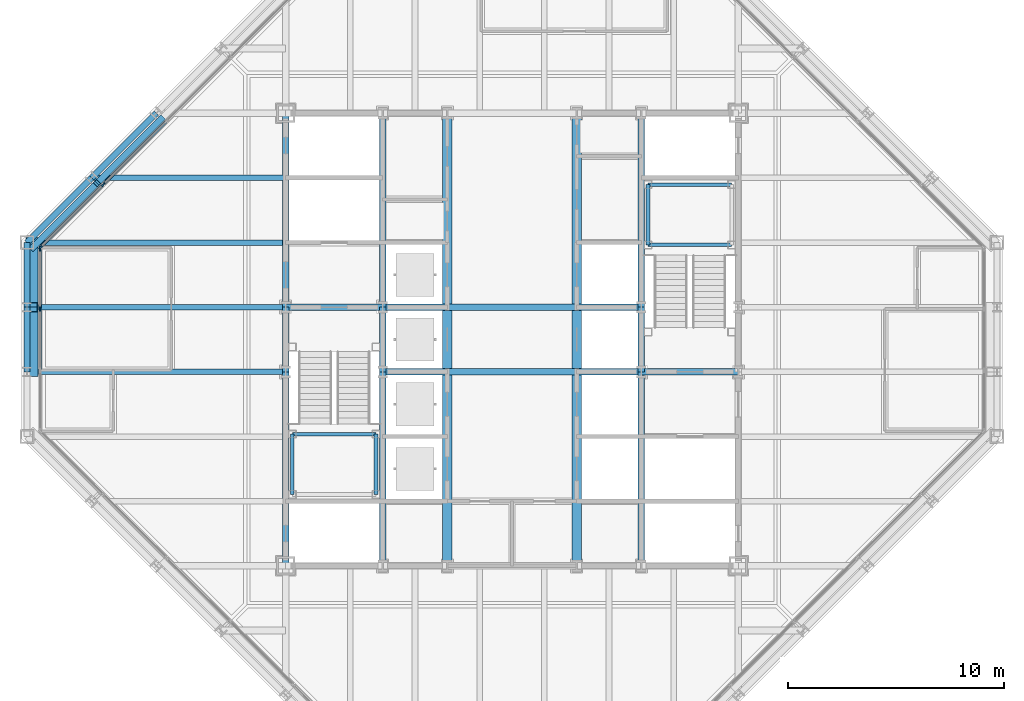
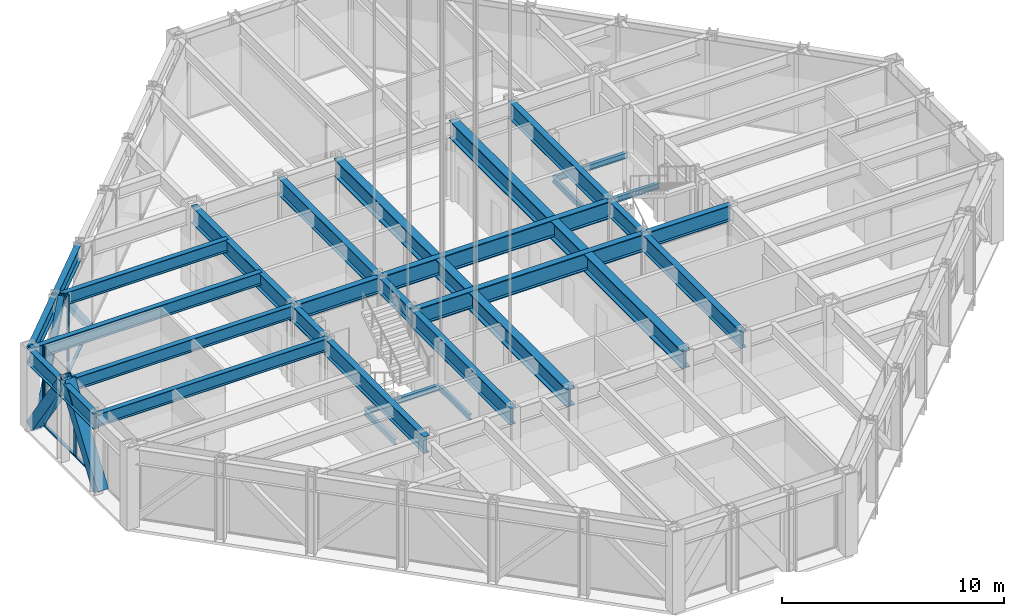
# One storey, part 6 of 24: 33 beams, 12 members, 2 elements without a shape of their own.
"""IFC4 building model written with IfcOpenShell, lengths in metres."""

import ifcopenshell
import ifcopenshell.guid

model = None  # the IFC model being written
_history = None  # IfcOwnerHistory: only IFC2X3 demands one
_inside = {}  # id of a spatial element -> (the spatial element, [elements in it])
_under = {}  # id of a project, library or spatial element -> (it, [spatial elements below it])
_declared = {}  # id of a project -> (the project, [libraries it declares])
_typed = {}  # id of a type object -> (the type object, [elements of that type])
_made_of = {}  # id of a material, layer set ... -> (it, [elements and type objects made of it])


def new_model(schema):
    """Start an empty IFC model of exactly this schema.

    Asked for "IFC4X3", IfcOpenShell would pick the latest addendum, in which some entities
    have other attributes; the version numbers below select the first issue.
    IFC2X3 requires an IfcOwnerHistory on every rooted entity: one is made here for all.
    """
    global model, _history
    if schema == "IFC4X3":
        model = ifcopenshell.file(schema_version=(4, 3, 0, 0))
    else:
        model = ifcopenshell.file(schema=schema)
    _inside.clear()
    _under.clear()
    _declared.clear()
    _typed.clear()
    _made_of.clear()
    _history = None
    if model.schema == "IFC2X3":
        org = make("IfcOrganization", Name="unknown")
        user = make(
            "IfcPersonAndOrganization",
            ThePerson=make("IfcPerson", FamilyName="unknown"),
            TheOrganization=org,
        )
        app = make(
            "IfcApplication",
            ApplicationDeveloper=org,
            Version="unknown",
            ApplicationFullName="unknown",
            ApplicationIdentifier="unknown",
        )
        _history = make(
            "IfcOwnerHistory",
            OwningUser=user,
            OwningApplication=app,
            ChangeAction="ADDED",
            CreationDate=0,
        )
    return model


def make(cls, **values):
    """One entity of the class cls with the attributes given. An attribute that is None is left unset."""
    return model.create_entity(
        cls, **{name: value for name, value in values.items() if value is not None}
    )


def rooted(cls, **values):
    """An entity with a GlobalId (a new one), such as an element, a storey or a relation."""
    return make(cls, GlobalId=ifcopenshell.guid.new(), OwnerHistory=_history, **values)


def si_unit(unit_type, name, prefix=None):
    """IfcSIUnit, for example si_unit("LENGTHUNIT", "METRE", prefix="MILLI")."""
    return make("IfcSIUnit", UnitType=unit_type, Prefix=prefix, Name=name)


def assignment(units):
    """IfcUnitAssignment: the units of a project."""
    return None if units is None else make("IfcUnitAssignment", Units=units)


def point(xyz):
    """IfcCartesianPoint."""
    return None if xyz is None else make("IfcCartesianPoint", Coordinates=xyz)


def direction(xyz):
    """IfcDirection."""
    return None if xyz is None else make("IfcDirection", DirectionRatios=xyz)


def frame(location, z_axis=None, x_axis=None):
    """IfcAxis2Placement3D, a coordinate frame: its origin and axes. An axis left out is left unset."""
    return make(
        "IfcAxis2Placement3D",
        Location=point(location),
        Axis=direction(z_axis),
        RefDirection=direction(x_axis),
    )


def frame_2d(location, x_axis=None):
    """IfcAxis2Placement2D, a coordinate frame in the plane: its origin and x axis."""
    return make(
        "IfcAxis2Placement2D", Location=point(location), RefDirection=direction(x_axis)
    )


def origin():
    """The frame at (0, 0, 0) with its axes left unset."""
    return frame((0.0, 0.0, 0.0))


def origin_2d():
    """The frame at (0, 0) in the plane with its x axis left unset."""
    return frame_2d((0.0, 0.0))


def place(relative_to, where):
    """IfcLocalPlacement: puts the frame where relative to a parent placement (None: the world)."""
    return make(
        "IfcLocalPlacement", PlacementRelTo=relative_to, RelativePlacement=where
    )


def context(
    kind, dimensions, precision=None, world=None, true_north=None, identifier=None
):
    """IfcGeometricRepresentationContext, for example the 3D "Model" context."""
    return make(
        "IfcGeometricRepresentationContext",
        ContextIdentifier=identifier,
        ContextType=kind,
        CoordinateSpaceDimension=dimensions,
        Precision=precision,
        WorldCoordinateSystem=world,
        TrueNorth=true_north,
    )


def subcontext(parent, identifier, kind, view, scale=None):
    """IfcGeometricRepresentationSubContext, for example "Body" below "Model"."""
    return make(
        "IfcGeometricRepresentationSubContext",
        ContextIdentifier=identifier,
        ContextType=kind,
        ParentContext=parent,
        TargetScale=scale,
        TargetView=view,
    )


def project(units=None, contexts=None):
    """IfcProject with its units and contexts."""
    return rooted(
        "IfcProject",
        Name="project",
        RepresentationContexts=contexts,
        UnitsInContext=assignment(units),
    )


def spatial(cls, under=None, at=None, **own):
    """A site, building, storey or space (cls), placed at a placement, below another one or the project."""
    s = rooted(cls, ObjectPlacement=at, **own)
    if under is not None:
        _under.setdefault(under.id(), (under, []))[1].append(s)
    return s


def profile(cls, at=None, kind="AREA", **sizes):
    """A parametric profile (cls). Its sizes go by their IFC names, for example OverallWidth=200.0."""
    return make(cls, ProfileType=kind, Position=at, **sizes)


def rectangle(**sizes):
    """IfcRectangleProfileDef."""
    return profile("IfcRectangleProfileDef", **sizes)


def hollow_rectangle(**sizes):
    """IfcRectangleHollowProfileDef."""
    return profile("IfcRectangleHollowProfileDef", **sizes)


def i_section(**sizes):
    """IfcIShapeProfileDef."""
    return profile("IfcIShapeProfileDef", **sizes)


def extrude(swept, where, along, depth):
    """IfcExtrudedAreaSolid: the profile swept, set in the frame where, extruded along a direction by depth."""
    return make(
        "IfcExtrudedAreaSolid",
        SweptArea=swept,
        Position=where,
        ExtrudedDirection=direction(along),
        Depth=depth,
    )


def shape(context_of_items, identifier, shape_type, items):
    """IfcShapeRepresentation: the items that make up one representation, for example the "Body"."""
    return make(
        "IfcShapeRepresentation",
        ContextOfItems=context_of_items,
        RepresentationIdentifier=identifier,
        RepresentationType=shape_type,
        Items=items,
    )


def material(Name=None, Category=None):
    """IfcMaterial."""
    return make("IfcMaterial", Name=Name, Category=Category)


def layer(
    of_material, thickness, ventilated=None, Name=None, Category=None, Priority=None
):
    """IfcMaterialLayer: one layer of a wall or slab, of a material (None: an air gap)."""
    return make(
        "IfcMaterialLayer",
        Material=of_material,
        LayerThickness=thickness,
        IsVentilated=ventilated,
        Name=Name,
        Category=Category,
        Priority=Priority,
    )


def layer_set(layers, Name=None):
    """IfcMaterialLayerSet."""
    return make("IfcMaterialLayerSet", MaterialLayers=layers, LayerSetName=Name)


def material_profile(
    of_material, cross_section, Name=None, Category=None, Priority=None
):
    """IfcMaterialProfile: a cross section and its material."""
    return make(
        "IfcMaterialProfile",
        Name=Name,
        Material=of_material,
        Profile=cross_section,
        Priority=Priority,
        Category=Category,
    )


def profile_set(profiles, Name=None, composite=None):
    """IfcMaterialProfileSet."""
    return make(
        "IfcMaterialProfileSet",
        Name=Name,
        MaterialProfiles=profiles,
        CompositeProfile=composite,
    )


def made_of(thing, what):
    """Note that an element or type object is made of a material, layer set ...; save() writes the relation."""
    if what is not None:
        _made_of.setdefault(what.id(), (what, []))[1].append(thing)
    return thing


def type_object(cls, material=None, **own):
    """A type object (cls), such as IfcWallType, which elements share."""
    return made_of(rooted(cls, **own), material)


def element(
    cls,
    number,
    at=None,
    inside=None,
    cuts=None,
    type_object=None,
    material=None,
    context=None,
    identifier="Body",
    shape_type=None,
    held_by="IfcProductDefinitionShape",
    body=None,
    shapes=None,
    **own,
):
    """One element of the class cls, such as IfcWall. Its Tag is "e" and its number.

    at: its placement. inside: the storey or other place that contains it. cuts: it is an
    opening in that element (IfcRelVoidsElement). A single representation is given by context,
    identifier, shape_type and body (its items); several are given by shapes. held_by: the class
    of the entity that holds the representations. save() writes the other relations.
    """
    e = rooted(cls, Tag="e%d" % number, ObjectPlacement=at, **own)
    if body is not None:
        shapes = [shape(context, identifier, shape_type, body)]
    if shapes is not None:
        e.Representation = make(held_by, Representations=shapes)
    if inside is not None:
        _inside.setdefault(inside.id(), (inside, []))[1].append(e)
    if cuts is not None:
        rooted(
            "IfcRelVoidsElement", RelatingBuildingElement=cuts, RelatedOpeningElement=e
        )
    if type_object is not None:
        _typed.setdefault(type_object.id(), (type_object, []))[1].append(e)
    return made_of(e, material)


def aggregate(whole, parts):
    """IfcRelAggregates: a whole, such as a stair, and the parts it consists of."""
    return rooted("IfcRelAggregates", RelatingObject=whole, RelatedObjects=parts)


def save(model, path):
    """Write the relations noted so far, then the file.

    IfcRelAggregates (storeys below a building ...), IfcRelContainedInSpatialStructure (elements
    in a storey), IfcRelDefinesByType, IfcRelAssociatesMaterial and IfcRelDeclares: one each for
    every whole, place, type object, material and project.
    """
    for whole, parts in _under.values():
        aggregate(whole, parts)
    for where, things in _inside.values():
        rooted(
            "IfcRelContainedInSpatialStructure",
            RelatedElements=things,
            RelatingStructure=where,
        )
    for kind, things in _typed.values():
        rooted("IfcRelDefinesByType", RelatedObjects=things, RelatingType=kind)
    for what, things in _made_of.values():
        rooted("IfcRelAssociatesMaterial", RelatedObjects=things, RelatingMaterial=what)
    for by, libraries in _declared.values():
        rooted("IfcRelDeclares", RelatingContext=by, RelatedDefinitions=libraries)
    model.write(path)


model = new_model("IFC4")

# Units and contexts
model_context = context("Model", 3, precision=1e-05, world=origin(), true_north=direction((0.0, 1.0)))
body_context = subcontext(model_context, "Body", "Model", "MODEL_VIEW")
ifc_project = project(units=[si_unit("LENGTHUNIT", "METRE"), si_unit("AREAUNIT", "SQUARE_METRE"), si_unit("VOLUMEUNIT", "CUBIC_METRE"), si_unit("PLANEANGLEUNIT", "RADIAN"), si_unit("MASSUNIT", "GRAM", prefix="KILO")], contexts=[model_context])

# Site, building, storey
site_placement = place(None, origin())
site = spatial("IfcSite", under=ifc_project, at=site_placement, CompositionType="ELEMENT")
building_placement = place(site_placement, origin())
building = spatial("IfcBuilding", under=site, at=building_placement, Name="Chuquiago Exchange Tower", CompositionType="ELEMENT")
storey_placement = place(building_placement, frame((0.0, 0.0, 257.699951171875)))
storey = spatial("IfcBuildingStorey", under=building, at=storey_placement, Name="L57", CompositionType="ELEMENT", Elevation=257.699951171875)

# Beams
ifc_material_1 = material(Name="Steel ASTM A992", Category="steel")
ifc_material_profile_1 = material_profile(ifc_material_1, i_section(OverallWidth=0.307373046875, OverallDepth=0.927001953125, WebThickness=0.01953125, FlangeThickness=0.031982421875, at=origin_2d()), Name="W36X194")
ifc_profile_set_1 = profile_set([ifc_material_profile_1], Name="Steel ASTM A992")
beam_type_1 = type_object("IfcBeamType", Name="B10 W36X194", PredefinedType="BEAM", material=ifc_profile_set_1)
for number, where, z_axis, x_axis, name in (
    (1, (12.0, 12.0, 3.87646484375), (0.0, 1.0, 0.0), (-1.0, 0.0, 0.0), "CB-L58-12_12-12_21"),
    (2, (12.0, 24.0, 3.87646484375), (0.0, 1.0, 0.0), (-1.0, 0.0, 0.0), "CB-L58-12_24-12_33"),
    (3, (16.5, 12.0, 3.87646484375), (0.0, 1.0, 0.0), (-1.0, 0.0, 0.0), "CB-L58-16.5_12-16.5_21"),
    (4, (16.5, 24.0, 3.87646484375), (0.0, 1.0, 0.0), (-1.0, 0.0, 0.0), "CB-L58-16.5_24-16.5_33"),
    (5, (28.5, 12.0, 3.87646484375), (0.0, 1.0, 0.0), (-1.0, 0.0, 0.0), "CB-L58-28.5_12-28.5_21"),
    (6, (28.5, 24.0, 3.87646484375), (0.0, 1.0, 0.0), (-1.0, 0.0, 0.0), "CB-L58-28.5_24-28.5_33"),
):
    element("IfcBeam", number, at=place(storey_placement, frame(where, z_axis=z_axis, x_axis=x_axis)), inside=storey, type_object=beam_type_1, Name=name, PredefinedType="BEAM", context=body_context, shape_type="SweptSolid", body=[
        extrude(i_section(OverallWidth=0.307373046875, OverallDepth=0.927001953125, WebThickness=0.01953125, FlangeThickness=0.031982421875, at=origin_2d()), origin(), (0.0, 0.0, 1.0), 9.0),
    ])
ifc_material_2 = material(Name="Steel ASTM A992", Category="steel")
ifc_material_profile_2 = material_profile(ifc_material_2, i_section(OverallWidth=0.309814453125, OverallDepth=0.949951171875, WebThickness=0.0244140625, FlangeThickness=0.0439453125, at=origin_2d()), Name="W36X256")
ifc_profile_set_2 = profile_set([ifc_material_profile_2], Name="Steel ASTM A992")
beam_type_2 = type_object("IfcBeamType", Name="B11 W36X256", PredefinedType="BEAM", material=ifc_profile_set_2)
for number, where, z_axis, x_axis, name in (
    (7, (16.5, 21.0, 3.864990234375), (1.0, 0.0, 0.0), (0.0, 1.0, 0.0), "CB-L58-16.5_21-28.5_21"),
    (8, (16.5, 24.0, 3.864990234375), (1.0, 0.0, 0.0), (0.0, 1.0, 0.0), "CB-L58-16.5_24-28.5_24"),
):
    element("IfcBeam", number, at=place(storey_placement, frame(where, z_axis=z_axis, x_axis=x_axis)), inside=storey, type_object=beam_type_2, Name=name, PredefinedType="BEAM", context=body_context, shape_type="SweptSolid", body=[
        extrude(i_section(OverallWidth=0.309814453125, OverallDepth=0.949951171875, WebThickness=0.0244140625, FlangeThickness=0.0439453125, at=origin_2d()), origin(), (0.0, 0.0, 1.0), 12.0),
    ])
ifc_material_3 = material(Name="Steel ASTM A992", Category="steel")
ifc_material_profile_3 = material_profile(ifc_material_3, i_section(OverallWidth=0.4267578125, OverallDepth=0.975341796875, WebThickness=0.031005859375, FlangeThickness=0.055908203125, at=origin_2d()), Name="W36X395")
ifc_profile_set_3 = profile_set([ifc_material_profile_3], Name="Steel ASTM A992")
beam_type_3 = type_object("IfcBeamType", Name="B12 W36X395", PredefinedType="BEAM", material=ifc_profile_set_3)
beam_1_placement = place(storey_placement, frame((19.5, 12.0, 3.852294921875), z_axis=(0.0, 1.0, 0.0), x_axis=(-1.0, 0.0, 0.0)))
element("IfcBeam", 9, at=beam_1_placement, inside=storey, type_object=beam_type_3, Name="CB-L58-19.5_12-19.5_20.8451", PredefinedType="BEAM", context=body_context, shape_type="SweptSolid", body=[
    extrude(i_section(OverallWidth=0.4267578125, OverallDepth=0.975341796875, WebThickness=0.031005859375, FlangeThickness=0.055908203125, at=origin_2d()), origin(), (0.0, 0.0, 1.0), 8.84521484375),
])
beam_2_placement = place(storey_placement, frame((19.5, 21.15478515625, 3.852294921875), z_axis=(0.0, 1.0, 0.0), x_axis=(-1.0, 0.0, 0.0)))
element("IfcBeam", 10, at=beam_2_placement, inside=storey, type_object=beam_type_3, Name="CB-L58-19.5_21.1549-19.5_23.8451", PredefinedType="BEAM", context=body_context, shape_type="SweptSolid", body=[
    extrude(i_section(OverallWidth=0.4267578125, OverallDepth=0.975341796875, WebThickness=0.031005859375, FlangeThickness=0.055908203125, at=origin_2d()), origin(), (0.0, 0.0, 1.0), 2.6904296875),
])
for number, where, z_axis, x_axis, name in (
    (11, (19.5, 24.15478515625, 3.852294921875), (0.0, 1.0, 0.0), (-1.0, 0.0, 0.0), "CB-L58-19.5_24.1549-19.5_33"),
    (12, (25.5, 12.0, 3.852294921875), (0.0, 1.0, 0.0), (-1.0, 0.0, 0.0), "CB-L58-25.5_12-25.5_20.8451"),
):
    element("IfcBeam", number, at=place(storey_placement, frame(where, z_axis=z_axis, x_axis=x_axis)), inside=storey, type_object=beam_type_3, Name=name, PredefinedType="BEAM", context=body_context, shape_type="SweptSolid", body=[
        extrude(i_section(OverallWidth=0.4267578125, OverallDepth=0.975341796875, WebThickness=0.031005859375, FlangeThickness=0.055908203125, at=origin_2d()), origin(), (0.0, 0.0, 1.0), 8.84521484375),
    ])
beam_3_placement = place(storey_placement, frame((25.5, 21.15478515625, 3.852294921875), z_axis=(0.0, 1.0, 0.0), x_axis=(-1.0, 0.0, 0.0)))
element("IfcBeam", 13, at=beam_3_placement, inside=storey, type_object=beam_type_3, Name="CB-L58-25.5_21.1549-25.5_23.8451", PredefinedType="BEAM", context=body_context, shape_type="SweptSolid", body=[
    extrude(i_section(OverallWidth=0.4267578125, OverallDepth=0.975341796875, WebThickness=0.031005859375, FlangeThickness=0.055908203125, at=origin_2d()), origin(), (0.0, 0.0, 1.0), 2.6904296875),
])
beam_4_placement = place(storey_placement, frame((25.5, 24.15478515625, 3.852294921875), z_axis=(0.0, 1.0, 0.0), x_axis=(-1.0, 0.0, 0.0)))
element("IfcBeam", 14, at=beam_4_placement, inside=storey, type_object=beam_type_3, Name="CB-L58-25.5_24.1549-25.5_33", PredefinedType="BEAM", context=body_context, shape_type="SweptSolid", body=[
    extrude(i_section(OverallWidth=0.4267578125, OverallDepth=0.975341796875, WebThickness=0.031005859375, FlangeThickness=0.055908203125, at=origin_2d()), origin(), (0.0, 0.0, 1.0), 8.84521484375),
])
ifc_material_4 = material(Name="Steel ASTM A992", Category="steel")
ifc_material_profile_4 = material_profile(ifc_material_4, i_section(OverallWidth=0.2919921875, OverallDepth=0.8583984375, WebThickness=0.01708984375, FlangeThickness=0.031005859375, at=origin_2d()), Name="W33X169")
ifc_profile_set_4 = profile_set([ifc_material_profile_4], Name="Steel ASTM A992")
beam_type_4 = type_object("IfcBeamType", Name="B3 W33X169", PredefinedType="BEAM", material=ifc_profile_set_4)
for number, where, z_axis, x_axis, name in (
    (15, (12.0, 21.0, 3.91064453125), (0.0, 1.0, 0.0), (-1.0, 0.0, 0.0), "CB-L58-12_21-12_24"),
    (16, (16.5, 21.0, 3.91064453125), (0.0, 1.0, 0.0), (-1.0, 0.0, 0.0), "CB-L58-16.5_21-16.5_24"),
    (17, (28.5, 21.0, 3.91064453125), (0.0, 1.0, 0.0), (-1.0, 0.0, 0.0), "CB-L58-28.5_21-28.5_24"),
):
    element("IfcBeam", number, at=place(storey_placement, frame(where, z_axis=z_axis, x_axis=x_axis)), inside=storey, type_object=beam_type_4, Name=name, PredefinedType="BEAM", context=body_context, shape_type="SweptSolid", body=[
        extrude(i_section(OverallWidth=0.2919921875, OverallDepth=0.8583984375, WebThickness=0.01708984375, FlangeThickness=0.031005859375, at=origin_2d()), origin(), (0.0, 0.0, 1.0), 3.0),
    ])
for number, where, z_axis, x_axis, name in (
    (18, (28.5, 21.0, 3.91064453125), (1.0, 0.0, 0.0), (0.0, 1.0, 0.0), "CB-L58-28.5_21-33_21"),
    (19, (12.0, 24.0, 3.91064453125), (1.0, 0.0, 0.0), (0.0, 1.0, 0.0), "CB-L58-12_24-16.5_24"),
):
    element("IfcBeam", number, at=place(storey_placement, frame(where, z_axis=z_axis, x_axis=x_axis)), inside=storey, type_object=beam_type_4, Name=name, PredefinedType="BEAM", context=body_context, shape_type="SweptSolid", body=[
        extrude(i_section(OverallWidth=0.2919921875, OverallDepth=0.8583984375, WebThickness=0.01708984375, FlangeThickness=0.031005859375, at=origin_2d()), origin(), (0.0, 0.0, 1.0), 4.5),
    ])
ifc_material_5 = material(Name="Steel ASTM A992", Category="steel")
ifc_material_profile_5 = material_profile(ifc_material_5, i_section(OverallWidth=0.256591796875, OverallDepth=0.693359375, WebThickness=0.014404296875, FlangeThickness=0.023681640625, at=origin_2d()), Name="W27X114")
ifc_profile_set_5 = profile_set([ifc_material_profile_5], Name="Steel ASTM A992")
beam_type_5 = type_object("IfcBeamType", Name="B4 W27X114", PredefinedType="BEAM", material=ifc_profile_set_5)
for number, where, z_axis, x_axis, name in (
    (20, (12.0, 21.0, 3.993408203125), (-1.0, 0.0, 0.0), (0.0, -1.0, 0.0), "FB-L58-infill-12_21--0_21-0"),
    (21, (12.0, 24.0, 3.993408203125), (-1.0, 0.0, 0.0), (0.0, -1.0, 0.0), "FB-L58-infill-12_24--0_24-0"),
    (22, (12.0, 27.0, 3.993408203125), (-1.0, 0.0, 0.0), (0.0, -1.0, 0.0), "FB-L58-infill-12_27--0_27-0"),
):
    element("IfcBeam", number, at=place(storey_placement, frame(where, z_axis=z_axis, x_axis=x_axis)), inside=storey, type_object=beam_type_5, Name=name, PredefinedType="BEAM", context=body_context, shape_type="SweptSolid", body=[
        extrude(i_section(OverallWidth=0.256591796875, OverallDepth=0.693359375, WebThickness=0.014404296875, FlangeThickness=0.023681640625, at=origin_2d()), origin(), (0.0, 0.0, 1.0), 12.0),
    ])
beam_5_placement = place(storey_placement, frame((12.0, 30.0, 3.993408203125), z_axis=(-1.0, 0.0, 0.0), x_axis=(0.0, -1.0, 0.0)))
element("IfcBeam", 23, at=beam_5_placement, inside=storey, type_object=beam_type_5, Name="FB-L58-infill-12_30-3_30-0", PredefinedType="BEAM", context=body_context, shape_type="SweptSolid", body=[
    extrude(i_section(OverallWidth=0.256591796875, OverallDepth=0.693359375, WebThickness=0.014404296875, FlangeThickness=0.023681640625, at=origin_2d()), origin(), (0.0, 0.0, 1.0), 9.0),
])

# Curtain wall, members
ifc_material_6 = material(Name="Aluminium curtain wall system", Category="aluminium")
ifc_layer_1 = layer(ifc_material_6, 0.22509765625)
ifc_layer_set_1 = layer_set([ifc_layer_1], Name="CW2 office curtain wall")
curtain_wall_type_1 = type_object("IfcCurtainWallType", Name="CW2 office curtain wall", PredefinedType="NOTDEFINED", material=ifc_layer_set_1)
curtain_wall_1_placement = place(storey_placement, origin())
curtain_wall_1 = element("IfcCurtainWall", 24, at=curtain_wall_1_placement, inside=storey, type_object=curtain_wall_type_1, Name="CW2 curtain wall L57", PredefinedType="NOTDEFINED")
ifc_material_7 = material(Name="Aluminium mullion, pale anodised", Category="aluminium")
ifc_material_profile_6 = material_profile(ifc_material_7, rectangle(XDim=0.06494140625, YDim=0.22509765625, at=origin_2d()), Name="AL 65x225")
ifc_profile_set_6 = profile_set([ifc_material_profile_6], Name="Aluminium mullion, pale anodised")
member_type_1 = type_object("IfcMemberType", Name="CW2-M mullion 65x225", PredefinedType="MULLION", material=ifc_profile_set_6)
member_1_placement = place(storey_placement, frame((0.60009765625, 26.718994140625, 0.0), z_axis=(0.0, 0.0, 1.0), x_axis=(1.0, 0.0, 0.0)))
member_1 = element("IfcMember", 25, at=member_1_placement, type_object=member_type_1, Name="CW2 mullion 1", PredefinedType="MULLION", context=body_context, shape_type="SweptSolid", body=[
    extrude(rectangle(XDim=0.06494140625, YDim=0.22509765625, at=origin_2d()), origin(), (0.0, 0.0, 1.0), 4.340087890625),
])
member_2_placement = place(storey_placement, frame((0.60009765625, 23.917236328125, 0.0), z_axis=(0.0, 0.0, 1.0), x_axis=(1.0, 0.0, 0.0)))
member_2 = element("IfcMember", 26, at=member_2_placement, type_object=member_type_1, Name="CW2 mullion 2", PredefinedType="MULLION", context=body_context, shape_type="SweptSolid", body=[
    extrude(rectangle(XDim=0.06494140625, YDim=0.22509765625, at=origin_2d()), origin(), (0.0, 0.0, 1.0), 4.340087890625),
])
ifc_material_8 = material(Name="Aluminium transom, pale anodised", Category="aluminium")
ifc_material_profile_7 = material_profile(ifc_material_8, rectangle(XDim=0.139892578125, YDim=0.06494140625, at=origin_2d()), Name="AL 140x65")
ifc_profile_set_7 = profile_set([ifc_material_profile_7], Name="Aluminium transom, pale anodised")
member_type_2 = type_object("IfcMemberType", Name="CW2-T transom 65x140", PredefinedType="MULLION", material=ifc_profile_set_7)
member_3_placement = place(storey_placement, frame((0.60009765625, 26.6865234375, 0.032470703125), z_axis=(0.0, -1.0, 0.0), x_axis=(1.0, 0.0, 0.0)))
member_3 = element("IfcMember", 27, at=member_3_placement, type_object=member_type_2, Name="CW2 transom 1.1", PredefinedType="MULLION", context=body_context, shape_type="SweptSolid", body=[
    extrude(rectangle(XDim=0.139892578125, YDim=0.06494140625, at=origin_2d()), origin(), (0.0, 0.0, 1.0), 2.73681640625),
])
member_4_placement = place(storey_placement, frame((0.60009765625, 23.884765625, 0.032470703125), z_axis=(0.0, -1.0, 0.0), x_axis=(1.0, 0.0, 0.0)))
member_4 = element("IfcMember", 28, at=member_4_placement, type_object=member_type_2, Name="CW2 transom 2.1", PredefinedType="MULLION", context=body_context, shape_type="SweptSolid", body=[
    extrude(rectangle(XDim=0.139892578125, YDim=0.06494140625, at=origin_2d()), origin(), (0.0, 0.0, 1.0), 2.76953125),
])
aggregate(curtain_wall_1, [member_1, member_2, member_3, member_4])

ifc_material_9 = material(Name="Aluminium curtain wall system", Category="aluminium")
ifc_layer_2 = layer(ifc_material_9, 0.199951171875)
ifc_layer_set_2 = layer_set([ifc_layer_2], Name="CW3 facet curtain wall")
curtain_wall_type_2 = type_object("IfcCurtainWallType", Name="CW3 facet curtain wall", PredefinedType="NOTDEFINED", material=ifc_layer_set_2)
curtain_wall_2_placement = place(storey_placement, origin())
curtain_wall_2 = element("IfcCurtainWall", 29, at=curtain_wall_2_placement, inside=storey, type_object=curtain_wall_type_2, Name="CW3 curtain wall L57", PredefinedType="NOTDEFINED")
ifc_material_10 = material(Name="Aluminium mullion, pale anodised", Category="aluminium")
ifc_material_profile_8 = material_profile(ifc_material_10, rectangle(XDim=0.06494140625, YDim=0.199951171875, at=origin_2d()), Name="AL 65x200")
ifc_profile_set_8 = profile_set([ifc_material_profile_8], Name="Aluminium mullion, pale anodised")
member_type_3 = type_object("IfcMemberType", Name="CW3-M mullion 65x200", PredefinedType="MULLION", material=ifc_profile_set_8)
member_5_placement = place(storey_placement, frame((3.54150390625, 29.69287109375, 0.0), z_axis=(0.0, 0.0, 1.0), x_axis=(0.707106781187, -0.707106781187, 0.0)))
member_5 = element("IfcMember", 30, at=member_5_placement, type_object=member_type_3, Name="CW3 mullion 6", PredefinedType="MULLION", context=body_context, shape_type="SweptSolid", body=[
    extrude(rectangle(XDim=0.06494140625, YDim=0.199951171875, at=origin_2d()), origin(), (0.0, 0.0, 1.0), 4.340087890625),
])
member_6_placement = place(storey_placement, frame((0.623046875, 26.7744140625, 0.0), z_axis=(0.0, 0.0, 1.0), x_axis=(0.707106781187, -0.707106781187, 0.0)))
member_6 = element("IfcMember", 31, at=member_6_placement, type_object=member_type_3, Name="CW3 mullion 7", PredefinedType="MULLION", context=body_context, shape_type="SweptSolid", body=[
    extrude(rectangle(XDim=0.06494140625, YDim=0.199951171875, at=origin_2d()), origin(), (0.0, 0.0, 1.0), 4.340087890625),
])
ifc_material_11 = material(Name="Aluminium transom, pale anodised", Category="aluminium")
ifc_material_profile_9 = material_profile(ifc_material_11, rectangle(XDim=0.139892578125, YDim=0.06494140625, at=origin_2d()), Name="AL 140x65")
ifc_profile_set_9 = profile_set([ifc_material_profile_9], Name="Aluminium transom, pale anodised")
member_type_4 = type_object("IfcMemberType", Name="CW3-T transom 65x140", PredefinedType="MULLION", material=ifc_profile_set_9)
member_7_placement = place(storey_placement, frame((6.4599609375, 32.611328125, 0.032470703125), z_axis=(-0.707106781187, -0.707106781187, 0.0), x_axis=(0.707106781187, -0.707106781187, 0.0)))
member_7 = element("IfcMember", 32, at=member_7_placement, type_object=member_type_4, Name="CW3 transom 5.1", PredefinedType="MULLION", context=body_context, shape_type="SweptSolid", body=[
    extrude(rectangle(XDim=0.139892578125, YDim=0.06494140625, at=origin_2d()), origin(), (0.0, 0.0, 1.0), 4.094970703125),
])
member_8_placement = place(storey_placement, frame((3.5185546875, 29.669921875, 0.032470703125), z_axis=(-0.707106781187, -0.707106781187, 0.0), x_axis=(0.707106781187, -0.707106781187, 0.0)))
member_8 = element("IfcMember", 33, at=member_8_placement, type_object=member_type_4, Name="CW3 transom 6.1", PredefinedType="MULLION", context=body_context, shape_type="SweptSolid", body=[
    extrude(rectangle(XDim=0.139892578125, YDim=0.06494140625, at=origin_2d()), origin(), (0.0, 0.0, 1.0), 4.0625),
])
aggregate(curtain_wall_2, [member_5, member_6, member_7, member_8])

# Members
ifc_material_12 = material(Name="Steel ASTM A500 Grade C", Category="steel")
ifc_material_profile_10 = material_profile(ifc_material_12, hollow_rectangle(XDim=0.3046875, YDim=0.3046875, WallThickness=0.0146484375, at=origin_2d()), Name="HSS12X12X5/8")
ifc_profile_set_10 = profile_set([ifc_material_profile_10], Name="Steel ASTM A500 Grade C")
member_type_5 = type_object("IfcMemberType", Name="LB3 HSS12X12X5/8", PredefinedType="BRACE", material=ifc_profile_set_10)
for number, where, z_axis, x_axis, name in (
    (34, (6.249267578125, 32.750732421875, 0.0), (-0.494291205278, -0.494291205278, 0.715089091491), (0.707106781187, -0.707106781187, 0.0), "LB-L57-6_33-3_30"),
    (35, (0.249267578125, 26.750732421875, 0.0), (0.494291205278, 0.494291205278, 0.715089091491), (-0.707106781187, 0.707106781187, 0.0), "LB-L57-3_30-0_27"),
):
    element("IfcMember", number, at=place(storey_placement, frame(where, z_axis=z_axis, x_axis=x_axis)), inside=storey, type_object=member_type_5, Name=name, PredefinedType="BRACE", context=body_context, shape_type="SweptSolid", body=[
        extrude(hollow_rectangle(XDim=0.3046875, YDim=0.3046875, WallThickness=0.0146484375, at=origin_2d()), origin(), (0.0, 0.0, 1.0), 6.0693359375),
    ])

# Beams
ifc_material_13 = material(Name="Steel ASTM A992", Category="steel")
ifc_material_profile_11 = material_profile(ifc_material_13, i_section(OverallWidth=0.164794921875, OverallDepth=0.309814453125, WebThickness=0.005859375, FlangeThickness=0.009765625, at=origin_2d()), Name="W12X26")
ifc_profile_set_11 = profile_set([ifc_material_profile_11], Name="Steel ASTM A992")
beam_type_6 = type_object("IfcBeamType", Name="LS1 W12X26", PredefinedType="BEAM", material=ifc_profile_set_11)
for number, where, z_axis, x_axis, name in (
    (36, (12.31005859375, 15.31005859375, 1.895263671875), (0.0, 1.0, 0.0), (-1.0, 0.0, 0.0), "Stair ST1 L57 landing 1 stringer"),
    (37, (16.18994140625, 15.31005859375, 1.895263671875), (0.0, 1.0, 0.0), (-1.0, 0.0, 0.0), "Stair ST1 L57 landing 1 stringer"),
    (38, (28.81005859375, 26.889892578125, 1.895263671875), (0.0, 1.0, 0.0), (-1.0, 0.0, 0.0), "Stair ST2 L57 landing 1 stringer"),
):
    element("IfcBeam", number, at=place(storey_placement, frame(where, z_axis=z_axis, x_axis=x_axis)), inside=storey, type_object=beam_type_6, Name=name, PredefinedType="BEAM", context=body_context, shape_type="SweptSolid", body=[
        extrude(i_section(OverallWidth=0.164794921875, OverallDepth=0.309814453125, WebThickness=0.005859375, FlangeThickness=0.009765625, at=origin_2d()), origin(), (0.0, 0.0, 1.0), 2.800048828125),
    ])
ifc_material_14 = material(Name="Steel ASTM A992", Category="steel")
ifc_material_profile_12 = material_profile(ifc_material_14, i_section(OverallWidth=0.164794921875, OverallDepth=0.309814453125, WebThickness=0.005859375, FlangeThickness=0.009765625, at=origin_2d()), Name="W12X26")
ifc_profile_set_12 = profile_set([ifc_material_profile_12], Name="Steel ASTM A992")
beam_type_7 = type_object("IfcBeamType", Name="LT1 W12X26", PredefinedType="BEAM", material=ifc_profile_set_12)
for number, where, z_axis, x_axis, name in (
    (39, (12.31005859375, 18.110107421875, 1.895263671875), (1.0, 0.0, 0.0), (0.0, 1.0, 0.0), "Stair ST1 L57 landing 1 trimmer"),
    (40, (28.81005859375, 29.68994140625, 1.895263671875), (1.0, 0.0, 0.0), (0.0, 1.0, 0.0), "Stair ST2 L57 landing 1 trimmer"),
    (41, (28.81005859375, 26.889892578125, 1.895263671875), (1.0, 0.0, 0.0), (0.0, 1.0, 0.0), "Stair ST2 L57 landing 1 trimmer"),
):
    element("IfcBeam", number, at=place(storey_placement, frame(where, z_axis=z_axis, x_axis=x_axis)), inside=storey, type_object=beam_type_7, Name=name, PredefinedType="BEAM", context=body_context, shape_type="SweptSolid", body=[
        extrude(i_section(OverallWidth=0.164794921875, OverallDepth=0.309814453125, WebThickness=0.005859375, FlangeThickness=0.009765625, at=origin_2d()), origin(), (0.0, 0.0, 1.0), 3.8798828125),
    ])

# Members
ifc_material_15 = material(Name="Steel ASTM A572 Grade 50", Category="steel")
ifc_material_profile_13 = material_profile(ifc_material_15, hollow_rectangle(XDim=0.550048828125, YDim=0.550048828125, WallThickness=0.044921875, at=origin_2d()), Name="BOX550X550X45")
ifc_profile_set_13 = profile_set([ifc_material_profile_13], Name="Steel ASTM A572 Grade 50")
member_type_6 = type_object("IfcMemberType", Name="MB4 BOX550X550X45", PredefinedType="BRACE", material=ifc_profile_set_13)
for number, where, z_axis, x_axis, name in (
    (42, (0.22998046875, 27.0, 0.0), (0.0, -0.568610676405, 0.822606770382), (1.0, 0.0, 0.0), "Mega diagonal L57 W face"),
    (43, (0.22998046875, 21.0, 0.0), (0.0, 0.568610676405, 0.822606770382), (-1.0, 0.0, 0.0), "Mega diagonal L57 W face"),
):
    element("IfcMember", number, at=place(storey_placement, frame(where, z_axis=z_axis, x_axis=x_axis)), inside=storey, type_object=member_type_6, Name=name, PredefinedType="BRACE", context=body_context, shape_type="SweptSolid", body=[
        extrude(hollow_rectangle(XDim=0.550048828125, YDim=0.550048828125, WallThickness=0.044921875, at=origin_2d()), origin(), (0.0, 0.0, 1.0), 5.276123046875),
    ])

# Beams
ifc_material_16 = material(Name="Steel ASTM A992", Category="steel")
ifc_material_profile_14 = material_profile(ifc_material_16, i_section(OverallWidth=0.2919921875, OverallDepth=0.8583984375, WebThickness=0.01708984375, FlangeThickness=0.031005859375, at=origin_2d()), Name="W33X169")
ifc_profile_set_14 = profile_set([ifc_material_profile_14], Name="Steel ASTM A992")
beam_type_8 = type_object("IfcBeamType", Name="SP4 W33X169", PredefinedType="SPANDREL", material=ifc_profile_set_14)
for number, where, z_axis, x_axis, name in (
    (44, (6.0, 33.0, 3.91064453125), (-0.707106781187, -0.707106781187, 0.0), (0.707106781187, -0.707106781187, 0.0), "SPB-L58-6_33-3_30"),
    (45, (3.0, 30.0, 3.91064453125), (-0.707106781187, -0.707106781187, 0.0), (0.707106781187, -0.707106781187, 0.0), "SPB-L58-3_30-0_27"),
):
    element("IfcBeam", number, at=place(storey_placement, frame(where, z_axis=z_axis, x_axis=x_axis)), inside=storey, type_object=beam_type_8, Name=name, PredefinedType="SPANDREL", context=body_context, shape_type="SweptSolid", body=[
        extrude(i_section(OverallWidth=0.2919921875, OverallDepth=0.8583984375, WebThickness=0.01708984375, FlangeThickness=0.031005859375, at=origin_2d()), origin(), (0.0, 0.0, 1.0), 4.24267578125),
    ])
for number, where, z_axis, x_axis, name in (
    (46, (0.0, 27.0, 3.91064453125), (0.0, -1.0, 0.0), (1.0, 0.0, 0.0), "SPB-L58-0_27-0_24"),
    (47, (0.0, 24.0, 3.91064453125), (0.0, -1.0, 0.0), (1.0, 0.0, 0.0), "SPB-L58-0_24-0_21"),
):
    element("IfcBeam", number, at=place(storey_placement, frame(where, z_axis=z_axis, x_axis=x_axis)), inside=storey, type_object=beam_type_8, Name=name, PredefinedType="SPANDREL", context=body_context, shape_type="SweptSolid", body=[
        extrude(i_section(OverallWidth=0.2919921875, OverallDepth=0.8583984375, WebThickness=0.01708984375, FlangeThickness=0.031005859375, at=origin_2d()), origin(), (0.0, 0.0, 1.0), 3.0),
    ])

save(model, "model.ifc")
